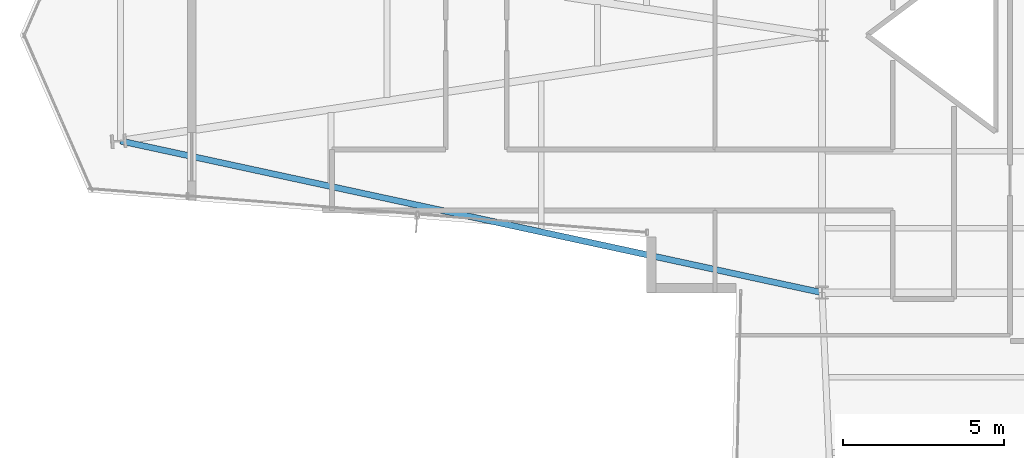
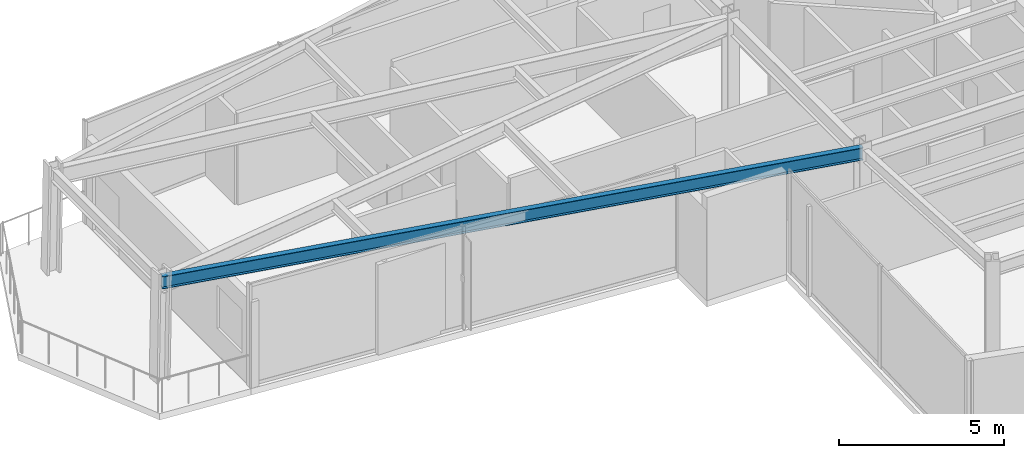
# One storey, part 3 of 27: 1 beam.
"""IFC4 building model written with IfcOpenShell, lengths in metres."""

import ifcopenshell
import ifcopenshell.guid

model = None  # the IFC model being written
_history = None  # IfcOwnerHistory: only IFC2X3 demands one
_inside = {}  # id of a spatial element -> (the spatial element, [elements in it])
_under = {}  # id of a project, library or spatial element -> (it, [spatial elements below it])
_declared = {}  # id of a project -> (the project, [libraries it declares])
_typed = {}  # id of a type object -> (the type object, [elements of that type])
_made_of = {}  # id of a material, layer set ... -> (it, [elements and type objects made of it])


def new_model(schema):
    """Start an empty IFC model of exactly this schema.

    Asked for "IFC4X3", IfcOpenShell would pick the latest addendum, in which some entities
    have other attributes; the version numbers below select the first issue.
    IFC2X3 requires an IfcOwnerHistory on every rooted entity: one is made here for all.
    """
    global model, _history
    if schema == "IFC4X3":
        model = ifcopenshell.file(schema_version=(4, 3, 0, 0))
    else:
        model = ifcopenshell.file(schema=schema)
    _inside.clear()
    _under.clear()
    _declared.clear()
    _typed.clear()
    _made_of.clear()
    _history = None
    if model.schema == "IFC2X3":
        org = make("IfcOrganization", Name="unknown")
        user = make(
            "IfcPersonAndOrganization",
            ThePerson=make("IfcPerson", FamilyName="unknown"),
            TheOrganization=org,
        )
        app = make(
            "IfcApplication",
            ApplicationDeveloper=org,
            Version="unknown",
            ApplicationFullName="unknown",
            ApplicationIdentifier="unknown",
        )
        _history = make(
            "IfcOwnerHistory",
            OwningUser=user,
            OwningApplication=app,
            ChangeAction="ADDED",
            CreationDate=0,
        )
    return model


def make(cls, **values):
    """One entity of the class cls with the attributes given. An attribute that is None is left unset."""
    return model.create_entity(
        cls, **{name: value for name, value in values.items() if value is not None}
    )


def rooted(cls, **values):
    """An entity with a GlobalId (a new one), such as an element, a storey or a relation."""
    return make(cls, GlobalId=ifcopenshell.guid.new(), OwnerHistory=_history, **values)


def si_unit(unit_type, name, prefix=None):
    """IfcSIUnit, for example si_unit("LENGTHUNIT", "METRE", prefix="MILLI")."""
    return make("IfcSIUnit", UnitType=unit_type, Prefix=prefix, Name=name)


def assignment(units):
    """IfcUnitAssignment: the units of a project."""
    return None if units is None else make("IfcUnitAssignment", Units=units)


def point(xyz):
    """IfcCartesianPoint."""
    return None if xyz is None else make("IfcCartesianPoint", Coordinates=xyz)


def direction(xyz):
    """IfcDirection."""
    return None if xyz is None else make("IfcDirection", DirectionRatios=xyz)


def frame(location, z_axis=None, x_axis=None):
    """IfcAxis2Placement3D, a coordinate frame: its origin and axes. An axis left out is left unset."""
    return make(
        "IfcAxis2Placement3D",
        Location=point(location),
        Axis=direction(z_axis),
        RefDirection=direction(x_axis),
    )


def frame_2d(location, x_axis=None):
    """IfcAxis2Placement2D, a coordinate frame in the plane: its origin and x axis."""
    return make(
        "IfcAxis2Placement2D", Location=point(location), RefDirection=direction(x_axis)
    )


def origin():
    """The frame at (0, 0, 0) with its axes left unset."""
    return frame((0.0, 0.0, 0.0))


def origin_2d():
    """The frame at (0, 0) in the plane with its x axis left unset."""
    return frame_2d((0.0, 0.0))


def place(relative_to, where):
    """IfcLocalPlacement: puts the frame where relative to a parent placement (None: the world)."""
    return make(
        "IfcLocalPlacement", PlacementRelTo=relative_to, RelativePlacement=where
    )


def context(
    kind, dimensions, precision=None, world=None, true_north=None, identifier=None
):
    """IfcGeometricRepresentationContext, for example the 3D "Model" context."""
    return make(
        "IfcGeometricRepresentationContext",
        ContextIdentifier=identifier,
        ContextType=kind,
        CoordinateSpaceDimension=dimensions,
        Precision=precision,
        WorldCoordinateSystem=world,
        TrueNorth=true_north,
    )


def subcontext(parent, identifier, kind, view, scale=None):
    """IfcGeometricRepresentationSubContext, for example "Body" below "Model"."""
    return make(
        "IfcGeometricRepresentationSubContext",
        ContextIdentifier=identifier,
        ContextType=kind,
        ParentContext=parent,
        TargetScale=scale,
        TargetView=view,
    )


def project(units=None, contexts=None):
    """IfcProject with its units and contexts."""
    return rooted(
        "IfcProject",
        Name="project",
        RepresentationContexts=contexts,
        UnitsInContext=assignment(units),
    )


def spatial(cls, under=None, at=None, **own):
    """A site, building, storey or space (cls), placed at a placement, below another one or the project."""
    s = rooted(cls, ObjectPlacement=at, **own)
    if under is not None:
        _under.setdefault(under.id(), (under, []))[1].append(s)
    return s


def profile(cls, at=None, kind="AREA", **sizes):
    """A parametric profile (cls). Its sizes go by their IFC names, for example OverallWidth=200.0."""
    return make(cls, ProfileType=kind, Position=at, **sizes)


def i_section(**sizes):
    """IfcIShapeProfileDef."""
    return profile("IfcIShapeProfileDef", **sizes)


def extrude(swept, where, along, depth):
    """IfcExtrudedAreaSolid: the profile swept, set in the frame where, extruded along a direction by depth."""
    return make(
        "IfcExtrudedAreaSolid",
        SweptArea=swept,
        Position=where,
        ExtrudedDirection=direction(along),
        Depth=depth,
    )


def shape(context_of_items, identifier, shape_type, items):
    """IfcShapeRepresentation: the items that make up one representation, for example the "Body"."""
    return make(
        "IfcShapeRepresentation",
        ContextOfItems=context_of_items,
        RepresentationIdentifier=identifier,
        RepresentationType=shape_type,
        Items=items,
    )


def material(Name=None, Category=None):
    """IfcMaterial."""
    return make("IfcMaterial", Name=Name, Category=Category)


def material_profile(
    of_material, cross_section, Name=None, Category=None, Priority=None
):
    """IfcMaterialProfile: a cross section and its material."""
    return make(
        "IfcMaterialProfile",
        Name=Name,
        Material=of_material,
        Profile=cross_section,
        Priority=Priority,
        Category=Category,
    )


def profile_set(profiles, Name=None, composite=None):
    """IfcMaterialProfileSet."""
    return make(
        "IfcMaterialProfileSet",
        Name=Name,
        MaterialProfiles=profiles,
        CompositeProfile=composite,
    )


def made_of(thing, what):
    """Note that an element or type object is made of a material, layer set ...; save() writes the relation."""
    if what is not None:
        _made_of.setdefault(what.id(), (what, []))[1].append(thing)
    return thing


def type_object(cls, material=None, **own):
    """A type object (cls), such as IfcWallType, which elements share."""
    return made_of(rooted(cls, **own), material)


def element(
    cls,
    number,
    at=None,
    inside=None,
    cuts=None,
    type_object=None,
    material=None,
    context=None,
    identifier="Body",
    shape_type=None,
    held_by="IfcProductDefinitionShape",
    body=None,
    shapes=None,
    **own,
):
    """One element of the class cls, such as IfcWall. Its Tag is "e" and its number.

    at: its placement. inside: the storey or other place that contains it. cuts: it is an
    opening in that element (IfcRelVoidsElement). A single representation is given by context,
    identifier, shape_type and body (its items); several are given by shapes. held_by: the class
    of the entity that holds the representations. save() writes the other relations.
    """
    e = rooted(cls, Tag="e%d" % number, ObjectPlacement=at, **own)
    if body is not None:
        shapes = [shape(context, identifier, shape_type, body)]
    if shapes is not None:
        e.Representation = make(held_by, Representations=shapes)
    if inside is not None:
        _inside.setdefault(inside.id(), (inside, []))[1].append(e)
    if cuts is not None:
        rooted(
            "IfcRelVoidsElement", RelatingBuildingElement=cuts, RelatedOpeningElement=e
        )
    if type_object is not None:
        _typed.setdefault(type_object.id(), (type_object, []))[1].append(e)
    return made_of(e, material)


def aggregate(whole, parts):
    """IfcRelAggregates: a whole, such as a stair, and the parts it consists of."""
    return rooted("IfcRelAggregates", RelatingObject=whole, RelatedObjects=parts)


def save(model, path):
    """Write the relations noted so far, then the file.

    IfcRelAggregates (storeys below a building ...), IfcRelContainedInSpatialStructure (elements
    in a storey), IfcRelDefinesByType, IfcRelAssociatesMaterial and IfcRelDeclares: one each for
    every whole, place, type object, material and project.
    """
    for whole, parts in _under.values():
        aggregate(whole, parts)
    for where, things in _inside.values():
        rooted(
            "IfcRelContainedInSpatialStructure",
            RelatedElements=things,
            RelatingStructure=where,
        )
    for kind, things in _typed.values():
        rooted("IfcRelDefinesByType", RelatedObjects=things, RelatingType=kind)
    for what, things in _made_of.values():
        rooted("IfcRelAssociatesMaterial", RelatedObjects=things, RelatingMaterial=what)
    for by, libraries in _declared.values():
        rooted("IfcRelDeclares", RelatingContext=by, RelatedDefinitions=libraries)
    model.write(path)


model = new_model("IFC4")

# Units and contexts
model_context = context("Model", 3, precision=1e-05, world=origin(), true_north=direction((0.0, 1.0)))
body_context = subcontext(model_context, "Body", "Model", "MODEL_VIEW")
ifc_project = project(units=[si_unit("LENGTHUNIT", "METRE"), si_unit("AREAUNIT", "SQUARE_METRE"), si_unit("VOLUMEUNIT", "CUBIC_METRE"), si_unit("PLANEANGLEUNIT", "RADIAN"), si_unit("MASSUNIT", "GRAM", prefix="KILO")], contexts=[model_context])

# Site, building, storey
site_placement = place(None, origin())
site = spatial("IfcSite", under=ifc_project, at=site_placement, CompositionType="ELEMENT")
building_placement = place(site_placement, origin())
building = spatial("IfcBuilding", under=site, at=building_placement, Name="Veymaron Broadcast Tower", CompositionType="ELEMENT")
storey_placement = place(building_placement, frame((0.0, 0.0, 86.39990234375)))
storey = spatial("IfcBuildingStorey", under=building, at=storey_placement, Name="L19", CompositionType="ELEMENT", Elevation=86.39990234375)

# Beam
ifc_material = material(Name="Structural steel ASTM A992 Gr 50", Category="steel")
ifc_material_profile = material_profile(ifc_material, i_section(OverallWidth=0.19091796875, OverallDepth=0.4599609375, WebThickness=0.010009765625, FlangeThickness=0.01611328125, at=origin_2d()), Name="W460X82")
ifc_profile_set = profile_set([ifc_material_profile], Name="Structural steel ASTM A992 Gr 50")
beam_type = type_object("IfcBeamType", Name="BM-SP1", PredefinedType="SPANDREL", material=ifc_profile_set)
beam_placement = place(storey_placement, frame((9.386962890625, 20.715087890625, 3.580078125), z_axis=(0.977425584746, -0.211279971327, 0.0), x_axis=(0.211279971327, 0.977425584746, 0.0)))
element("IfcBeam", 1, at=beam_placement, inside=storey, type_object=beam_type, Name="L19 primary structural floor girder", PredefinedType="SPANDREL", context=body_context, shape_type="SweptSolid", body=[
    extrude(i_section(OverallWidth=0.19091796875, OverallDepth=0.4599609375, WebThickness=0.010009765625, FlangeThickness=0.01611328125, at=origin_2d()), origin(), (0.0, 0.0, 1.0), 22.31689453125),
])

save(model, "model.ifc")
